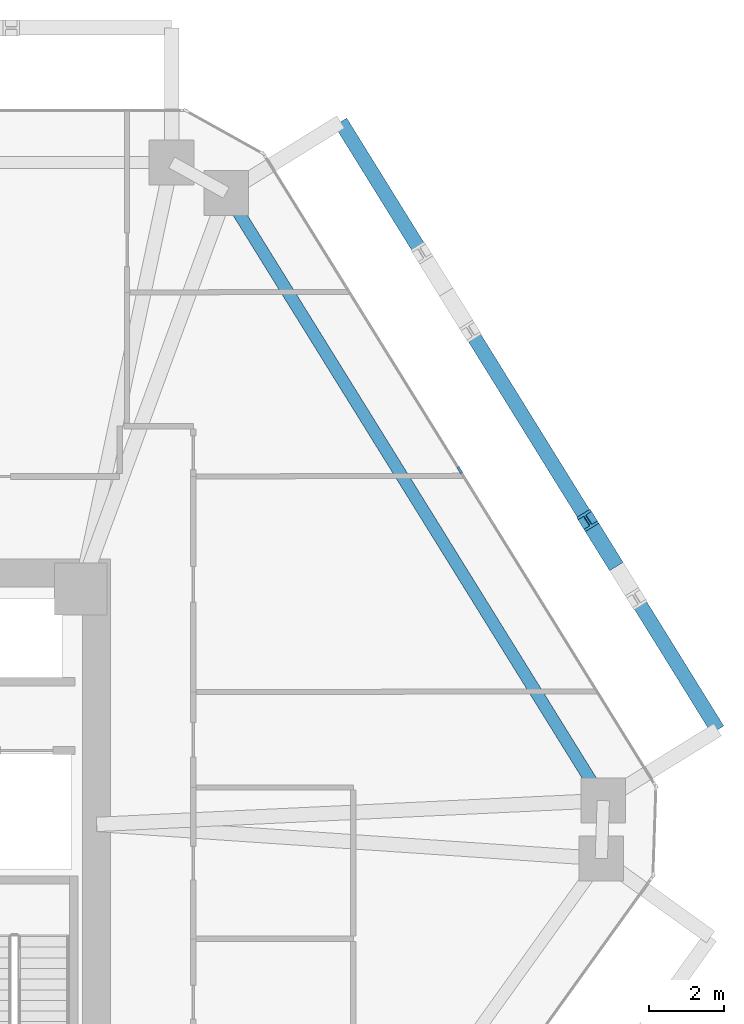
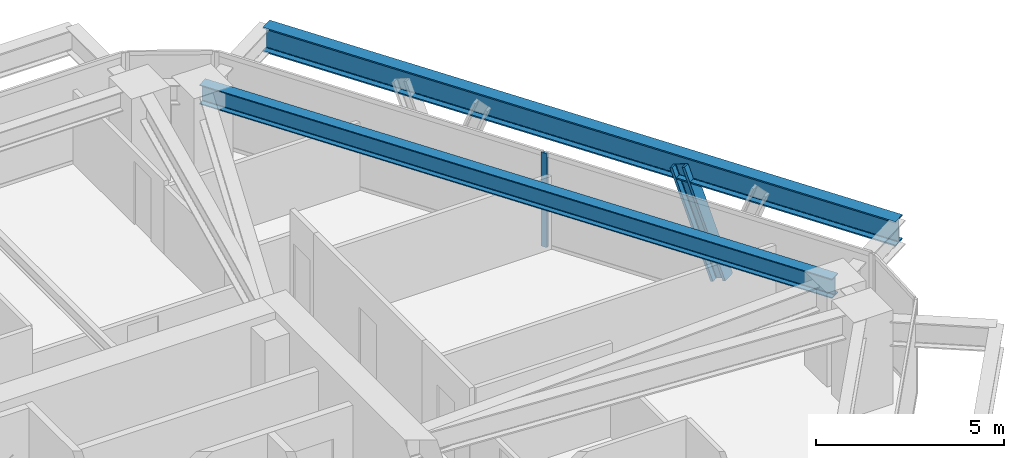
# One storey, part 6 of 14: 2 beams, 2 members, 1 element without a shape of its own.
"""IFC4 building model written with IfcOpenShell, lengths in metres."""

from ifc_helpers import new_model, si_unit, direction, frame, origin, origin_2d, place, context, subcontext, project, spatial, rectangle, i_section, extrude, source, transform, mapped, material, layer, layer_set, material_profile, profile_set, type_object, type_shapes, element, aggregate, save


model = new_model("IFC4")

# Units and contexts
model_context = context("Model", 3, precision=1e-05, world=origin(), true_north=direction((0.0, 1.0)))
body_context = subcontext(model_context, "Body", "Model", "MODEL_VIEW")
ifc_project = project(units=[si_unit("LENGTHUNIT", "METRE"), si_unit("AREAUNIT", "SQUARE_METRE"), si_unit("VOLUMEUNIT", "CUBIC_METRE"), si_unit("PLANEANGLEUNIT", "RADIAN"), si_unit("MASSUNIT", "GRAM", prefix="KILO")], contexts=[model_context])

# Site, building, storey
site_placement = place(None, origin())
site = spatial("IfcSite", under=ifc_project, at=site_placement, CompositionType="ELEMENT")
building_placement = place(site_placement, origin())
building = spatial("IfcBuilding", under=site, at=building_placement, Name="Durnholm Broadcast Tower", CompositionType="ELEMENT")
storey_placement = place(building_placement, frame((0.0, 0.0, 107.39990234375)))
storey = spatial("IfcBuildingStorey", under=building, at=storey_placement, Name="L28", CompositionType="ELEMENT", Elevation=107.39990234375)

# Beams
ifc_material_1 = material(Name="Steel ASTM A992 Grade 50", Category="steel")
ifc_material_profile_1 = material_profile(ifc_material_1, i_section(OverallWidth=0.3291015625, OverallDepth=0.635009765625, WebThickness=0.017822265625, FlangeThickness=0.031005859375, FilletRadius=0.02783203125, at=origin_2d()), Name="W24X162")
ifc_profile_set_1 = profile_set([ifc_material_profile_1], Name="Steel ASTM A992 Grade 50")
beam_type_1 = type_object("IfcBeamType", Name="STL-SP-W24X162", PredefinedType="SPANDREL", material=ifc_profile_set_1)
shared_shape_1 = source(origin(), body_context, "Body", "SweptSolid", [
    extrude(i_section(OverallWidth=0.3291015625, OverallDepth=0.635009765625, WebThickness=0.017822265625, FlangeThickness=0.031005859375, FilletRadius=0.02783203125, at=origin_2d()), origin(), (0.0, 0.0, 1.0), 19.139404296875),
])
type_shapes(beam_type_1, [shared_shape_1])
beam_1_placement = place(storey_placement, frame((13.692138671875, 18.4013671875, 2.7275390625), z_axis=(0.527111038734, -0.84979641847, 0.0), x_axis=(0.84979641847, 0.527111038734, 0.0)))
element("IfcBeam", 1, at=beam_1_placement, inside=storey, type_object=beam_type_1, Name="L28 perimeter spandrel girder 07", PredefinedType="SPANDREL", context=body_context, shape_type="MappedRepresentation", body=[
    mapped(shared_shape_1, transform((0.0, 0.0, 0.0), x_axis=(1.0, 0.0, 0.0), y_axis=(0.0, 1.0, 0.0), z_axis=(0.0, 0.0, 1.0), scale=1.0)),
])
ifc_material_profile_2 = material_profile(ifc_material_1, i_section(OverallWidth=0.385009765625, OverallDepth=0.802978515625, WebThickness=0.023681640625, FlangeThickness=0.0419921875, FilletRadius=0.032958984375, at=origin_2d()), Name="W30X261")
ifc_profile_set_2 = profile_set([ifc_material_profile_2], Name="Steel ASTM A992 Grade 50")
beam_type_2 = type_object("IfcBeamType", Name="BM-EXO-TIE", PredefinedType="USERDEFINED", material=ifc_profile_set_2)
shared_shape_2 = source(origin(), body_context, "Body", "SweptSolid", [
    extrude(i_section(OverallWidth=0.385009765625, OverallDepth=0.802978515625, WebThickness=0.023681640625, FlangeThickness=0.0419921875, FilletRadius=0.032958984375, at=origin_2d()), origin(), (0.0, 0.0, 1.0), 19.139404296875),
])
type_shapes(beam_type_2, [shared_shape_2])
beam_2_placement = place(storey_placement, frame((26.840087890625, 4.0341796875, 2.30859375), z_axis=(-0.527111038734, 0.84979641847, 0.0), x_axis=(-0.84979641847, -0.527111038734, 0.0)))
element("IfcBeam", 2, at=beam_2_placement, inside=storey, type_object=beam_type_2, Name="L28 exoskeleton collector spandrel F3", PredefinedType="SPANDREL", context=body_context, shape_type="MappedRepresentation", body=[
    mapped(shared_shape_2, transform((0.0, 0.0, 0.0), x_axis=(1.0, 0.0, 0.0), y_axis=(0.0, 1.0, 0.0), z_axis=(0.0, 0.0, 1.0), scale=1.0)),
])

# Member
ifc_material_2 = material(Name="Steel ASTM A913 Grade 65", Category="steel")
ifc_material_profile_3 = material_profile(ifc_material_2, i_section(OverallWidth=0.424072265625, OverallDepth=0.47412109375, WebThickness=0.047607421875, FlangeThickness=0.0771484375, FilletRadius=0.030517578125, at=origin_2d()), Name="W14X426")
ifc_profile_set_3 = profile_set([ifc_material_profile_3], Name="Steel ASTM A913 Grade 65")
member_type_1 = type_object("IfcMemberType", Name="STL-DG-W14X426", PredefinedType="BRACE", material=ifc_profile_set_3)
shared_shape_3 = source(origin(), body_context, "Body", "SweptSolid", [
    extrude(i_section(OverallWidth=0.424072265625, OverallDepth=0.47412109375, WebThickness=0.047607421875, FlangeThickness=0.0771484375, FilletRadius=0.030517578125, at=origin_2d()), origin(), (0.0, 0.0, 1.0), 3.52294921875),
])
type_shapes(member_type_1, [shared_shape_3])
member_1_placement = place(storey_placement, frame((24.01513671875, 8.58837890625, -0.9912109375), z_axis=(-0.184618626166, 0.297579722507, 0.936676182907), x_axis=(-0.849750220063, -0.527185511469, 0.0)))
element("IfcMember", 3, at=member_1_placement, inside=storey, type_object=member_type_1, Name="L28 stand-off diagrid brace F3.D1.2", PredefinedType="BRACE", context=body_context, shape_type="MappedRepresentation", body=[
    mapped(shared_shape_3, transform((0.0, 0.0, 0.0), x_axis=(1.0, 0.0, 0.0), y_axis=(0.0, 1.0, 0.0), z_axis=(0.0, 0.0, 1.0), scale=1.0)),
])

# Curtain wall, member
ifc_material_3 = material(Name="Aluminium and Solar Control IGU", Category="aluminium")
ifc_layer = layer(ifc_material_3, 0.18994140625)
ifc_layer_set = layer_set([ifc_layer], Name="Aluminium and Solar Control IGU")
curtain_wall_type = type_object("IfcCurtainWallType", Name="CW-SYS-3", PredefinedType="NOTDEFINED", material=ifc_layer_set)
curtain_wall_placement = place(storey_placement, origin())
curtain_wall = element("IfcCurtainWall", 4, at=curtain_wall_placement, inside=storey, type_object=curtain_wall_type, Name="L28 curtain wall CW-Z12-VIS CW-L28-F06", PredefinedType="NOTDEFINED")
ifc_material_4 = material(Name="Aluminium 6063-T6", Category="aluminium")
ifc_material_profile_4 = material_profile(ifc_material_4, rectangle(XDim=0.070068359375, YDim=0.18994140625, at=origin_2d()), Name="CWM70X190")
ifc_profile_set_4 = profile_set([ifc_material_profile_4], Name="Aluminium 6063-T6")
member_type_2 = type_object("IfcMemberType", Name="CW-SYS-3-MUL", PredefinedType="MULLION", material=ifc_profile_set_4)
shared_shape_4 = source(origin(), body_context, "Body", "SweptSolid", [
    extrude(rectangle(XDim=0.070068359375, YDim=0.18994140625, at=origin_2d()), origin(), (0.0, 0.0, 1.0), 3.06005859375),
])
type_shapes(member_type_2, [shared_shape_4])
member_2_placement = place(storey_placement, frame((19.9423828125, 10.980712890625, 0.0), z_axis=(0.0, 0.0, 1.0), x_axis=(0.849799925229, 0.527105385176, 0.0)))
member_2 = element("IfcMember", 5, at=member_2_placement, type_object=member_type_2, Name="CW-Z12-VIS mullion 2", PredefinedType="MULLION", context=body_context, shape_type="MappedRepresentation", body=[
    mapped(shared_shape_4, transform((0.0, 0.0, 0.0), x_axis=(1.0, 0.0, 0.0), y_axis=(0.0, 1.0, 0.0), z_axis=(0.0, 0.0, 1.0), scale=1.0)),
])
aggregate(curtain_wall, [member_2])

save(model, "model.ifc")
